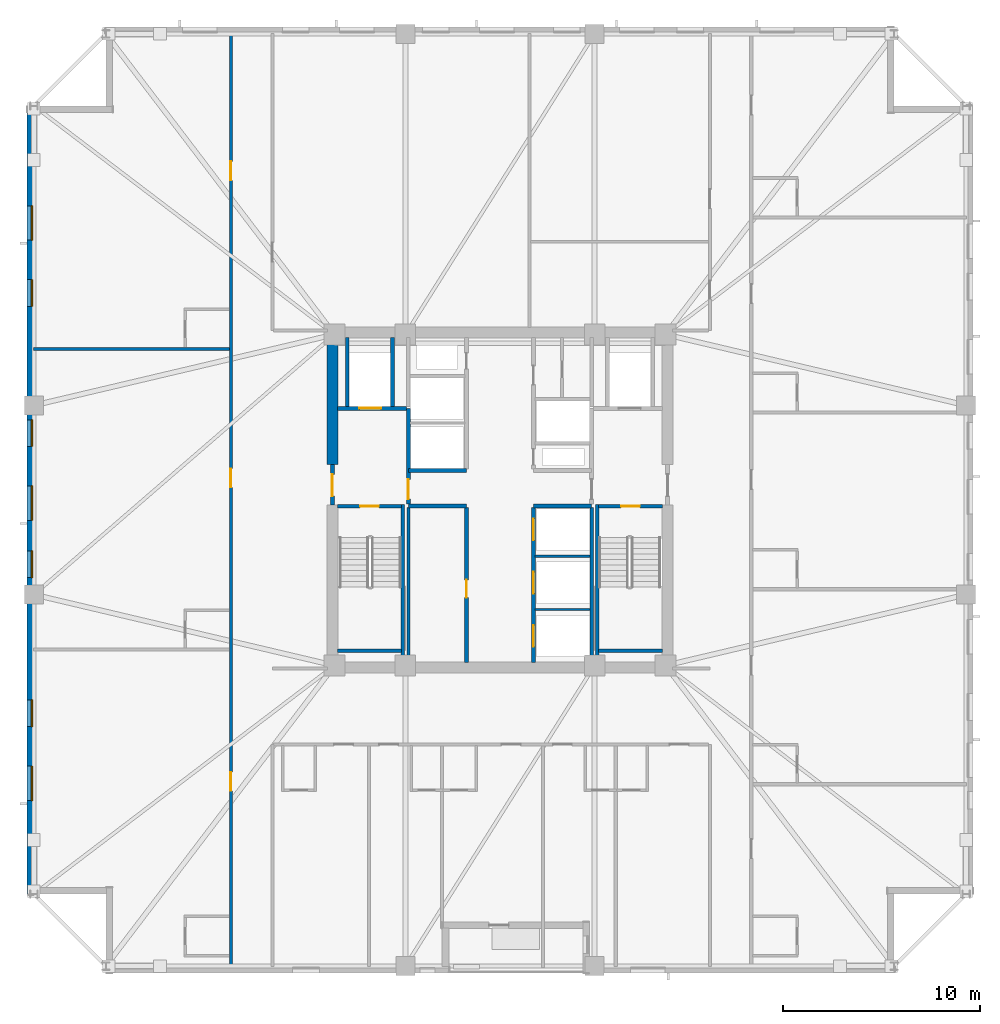
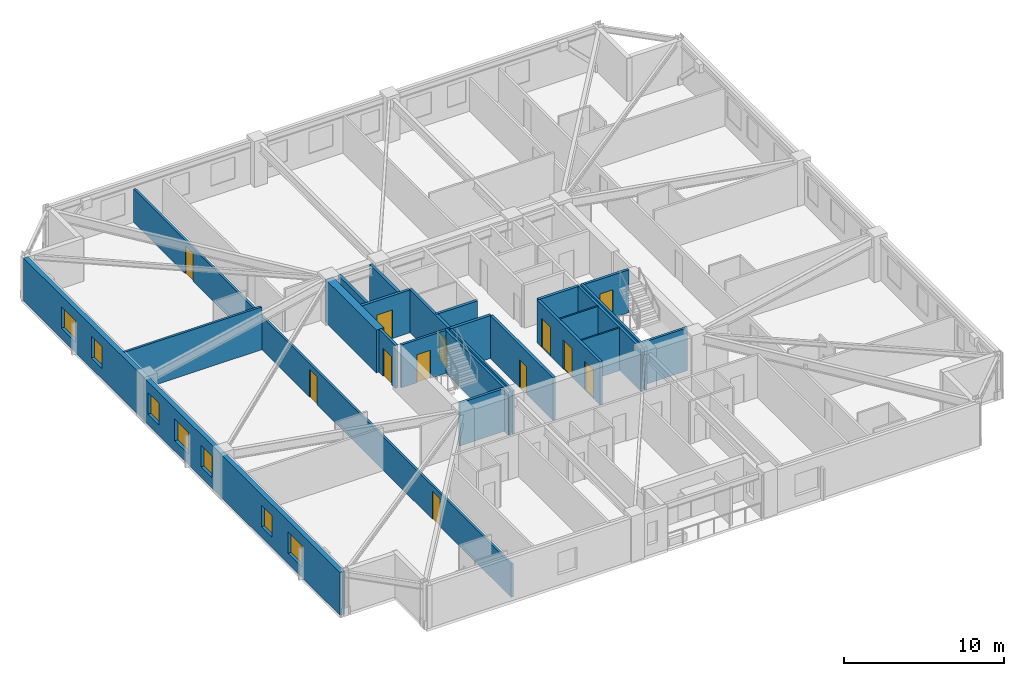
# One storey, part 3 of 11: 24 walls, 12 doors, 7 windows, 19 openings.
"""IFC4 building model written with IfcOpenShell, lengths in metres."""

from ifc_helpers import new_model, si_unit, direction, frame, frame_2d, origin, place, context, subcontext, project, spatial, rectangle, extrude, material, layer, layer_set, type_object, element, fill, save


model = new_model("IFC4")

# Units and contexts
model_context = context("Model", 3, precision=1e-05, world=origin(), true_north=direction((0.0, 1.0)))
body_context = subcontext(model_context, "Body", "Model", "MODEL_VIEW")
ifc_project = project(units=[si_unit("LENGTHUNIT", "METRE"), si_unit("AREAUNIT", "SQUARE_METRE"), si_unit("VOLUMEUNIT", "CUBIC_METRE"), si_unit("PLANEANGLEUNIT", "RADIAN"), si_unit("MASSUNIT", "GRAM", prefix="KILO")], contexts=[model_context])

# Site, building, storey
site_placement = place(None, origin())
site = spatial("IfcSite", under=ifc_project, at=site_placement, CompositionType="ELEMENT")
building_placement = place(site_placement, origin())
building = spatial("IfcBuilding", under=site, at=building_placement, Name="Cairnveth Concourse Tower", CompositionType="ELEMENT")
storey_placement = place(building_placement, frame((0.0, 0.0, 158.5)))
storey = spatial("IfcBuildingStorey", under=building, at=storey_placement, Name="L43", CompositionType="ELEMENT", Elevation=158.5)

# Wall
ifc_material_1 = material(Name="Gypsum Plasterboard Partition", Category="gypsum")
ifc_layer_1 = layer(ifc_material_1, 0.159912109375)
ifc_layer_set_1 = layer_set([ifc_layer_1], Name="Gypsum Plasterboard Partition")
wall_type_1 = type_object("IfcWallType", Name="ACOUSTIC PARTY WALL 180", PredefinedType="PARTITIONING", material=ifc_layer_set_1)
wall_1_placement = place(storey_placement, frame((47.35009765625, 30.760009765625, 0.0), z_axis=(0.0, 0.0, 1.0), x_axis=(0.0, 1.0, 0.0)))
element("IfcWall", 1, at=wall_1_placement, inside=storey, type_object=wall_type_1, Name="Interior Wall IW-L43-025", PredefinedType="PARTITIONING", context=body_context, shape_type="SweptSolid", body=[
    extrude(rectangle(XDim=7.85498046875, YDim=0.159912109375, at=frame_2d((3.927490234375, 0.0))), origin(), (0.0, 0.0, 1.0), 3.280029296875),
])

# Wall, openings, doors
wall_2_placement = place(storey_placement, frame((38.35009765625, 15.324951171875, 0.0), z_axis=(0.0, 0.0, 1.0), x_axis=(0.0, 1.0, 0.0)))
wall_2 = element("IfcWall", 2, at=wall_2_placement, inside=storey, type_object=wall_type_1, Name="Interior Wall IW-L43-036", PredefinedType="PARTITIONING", context=body_context, shape_type="SweptSolid", body=[
    extrude(rectangle(XDim=47.35009765625, YDim=0.159912109375, at=frame_2d((23.675048828125, 0.0))), origin(), (0.0, 0.0, 1.0), 2.554931640625),
])
opening_1_placement = place(wall_2_placement, frame((8.912353515625, 0.0, 0.0)))
opening_1 = element("IfcOpeningElement", 3, at=opening_1_placement, cuts=wall_2, Name="Opening ID09", PredefinedType="OPENING", context=body_context, shape_type="SweptSolid", body=[
    extrude(rectangle(XDim=0.9599609375, YDim=2.14990234375, at=frame_2d((0.47998046875, 1.074951171875))), frame((0.0, 0.08984375, 0.0), z_axis=(0.0, -1.0, 0.0), x_axis=(1.0, 0.0, 0.0)), (0.0, 0.0, 1.0), 0.179931640625),
])
opening_2_placement = place(wall_2_placement, frame((24.312255859375, 0.0, 0.0)))
opening_2 = element("IfcOpeningElement", 4, at=opening_2_placement, cuts=wall_2, Name="Opening ID09", PredefinedType="OPENING", context=body_context, shape_type="SweptSolid", body=[
    extrude(rectangle(XDim=0.9599609375, YDim=2.14990234375, at=frame_2d((0.47998046875, 1.074951171875))), frame((0.0, 0.08984375, 0.0), z_axis=(0.0, -1.0, 0.0), x_axis=(1.0, 0.0, 0.0)), (0.0, 0.0, 1.0), 0.179931640625),
])
opening_3_placement = place(wall_2_placement, frame((39.89501953125, 0.0, 0.0)))
opening_3 = element("IfcOpeningElement", 5, at=opening_3_placement, cuts=wall_2, Name="Opening ID09", PredefinedType="OPENING", context=body_context, shape_type="SweptSolid", body=[
    extrude(rectangle(XDim=0.9599609375, YDim=2.14990234375, at=frame_2d((0.47998046875, 1.074951171875))), frame((0.0, 0.08984375, 0.0), z_axis=(0.0, -1.0, 0.0), x_axis=(1.0, 0.0, 0.0)), (0.0, 0.0, 1.0), 0.179931640625),
])
ifc_material_2 = material(Name="Solid Core Hardwood Timber Leaf", Category="wood")
door_type_1 = type_object("IfcDoorType", Name="HOTEL ENTRANCE DOOR 960X2150", OperationType="NOTDEFINED", PredefinedType="DOOR", material=ifc_material_2)
door_1_placement = place(opening_1_placement, origin())
door_1 = element("IfcDoor", 6, at=door_1_placement, inside=storey, type_object=door_type_1, Name="Hotel Room Door L43-W1", OperationType="SINGLE_SWING_LEFT", OverallHeight=2.14990234375, OverallWidth=0.9599609375, PredefinedType="DOOR", context=body_context, shape_type="SweptSolid", body=[
    extrude(rectangle(XDim=0.9599609375, YDim=2.14990234375, at=frame_2d((0.47998046875, 1.074951171875))), frame((0.0, 0.02490234375, 0.0), z_axis=(0.0, -1.0, 0.0), x_axis=(1.0, 0.0, 0.0)), (0.0, 0.0, 1.0), 0.050048828125),
])
fill(opening_1, door_1)
door_2_placement = place(opening_2_placement, origin())
door_2 = element("IfcDoor", 7, at=door_2_placement, inside=storey, type_object=door_type_1, Name="Hotel Room Door L43-W2", OperationType="SINGLE_SWING_LEFT", OverallHeight=2.14990234375, OverallWidth=0.9599609375, PredefinedType="DOOR", context=body_context, shape_type="SweptSolid", body=[
    extrude(rectangle(XDim=0.9599609375, YDim=2.14990234375, at=frame_2d((0.47998046875, 1.074951171875))), frame((0.0, 0.02490234375, 0.0), z_axis=(0.0, -1.0, 0.0), x_axis=(1.0, 0.0, 0.0)), (0.0, 0.0, 1.0), 0.050048828125),
])
fill(opening_2, door_2)
door_3_placement = place(opening_3_placement, origin())
door_3 = element("IfcDoor", 8, at=door_3_placement, inside=storey, type_object=door_type_1, Name="Hotel Room Door L43-W3", OperationType="SINGLE_SWING_LEFT", OverallHeight=2.14990234375, OverallWidth=0.9599609375, PredefinedType="DOOR", context=body_context, shape_type="SweptSolid", body=[
    extrude(rectangle(XDim=0.9599609375, YDim=2.14990234375, at=frame_2d((0.47998046875, 1.074951171875))), frame((0.0, 0.02490234375, 0.0), z_axis=(0.0, -1.0, 0.0), x_axis=(1.0, 0.0, 0.0)), (0.0, 0.0, 1.0), 0.050048828125),
])
fill(opening_3, door_3)

# Walls
wall_3_placement = place(storey_placement, frame((28.324951171875, 46.669921875, 0.0), z_axis=(0.0, 0.0, 1.0), x_axis=(1.0, 0.0, 0.0)))
element("IfcWall", 9, at=wall_3_placement, inside=storey, type_object=wall_type_1, Name="Interior Wall IW-L43-070", PredefinedType="PARTITIONING", context=body_context, shape_type="SweptSolid", body=[
    extrude(rectangle(XDim=9.945068359375, YDim=0.159912109375, at=frame_2d((4.97265625, 0.0))), origin(), (0.0, 0.0, 1.0), 3.280029296875),
])
ifc_material_3 = material(Name="Concrete N80 (80 MPa)", Category="concrete")
ifc_layer_2 = layer(ifc_material_3, 0.550048828125)
ifc_layer_set_2 = layer_set([ifc_layer_2], Name="Concrete N80 (80 MPa)")
wall_type_2 = type_object("IfcWallType", Name="CORE SHEAR WALL 550", PredefinedType="SHEAR", material=ifc_layer_set_2)
wall_4_placement = place(storey_placement, frame((43.5, 40.800048828125, 0.0), z_axis=(0.0, 0.0, 1.0), x_axis=(0.0, 1.0, 0.0)))
element("IfcWall", 10, at=wall_4_placement, inside=storey, type_object=wall_type_2, Name="Core West Shear Wall N L43", PredefinedType="SHEAR", context=body_context, shape_type="SweptSolid", body=[
    extrude(rectangle(XDim=6.43505859375, YDim=0.550048828125, at=frame_2d((3.217529296875, 0.0))), origin(), (0.0, 0.0, 1.0), 3.280029296875),
])
ifc_material_4 = material(Name="Concrete N50 (50 MPa)", Category="concrete")
ifc_layer_3 = layer(ifc_material_4, 0.179931640625)
ifc_layer_set_3 = layer_set([ifc_layer_3], Name="Concrete N50 (50 MPa)")
wall_type_3 = type_object("IfcWallType", Name="FIRE SHAFT WALL 180", PredefinedType="SOLIDWALL", material=ifc_layer_set_3)
wall_5_placement = place(storey_placement, frame((56.64990234375, 30.760009765625, 0.0), z_axis=(0.0, 0.0, 1.0), x_axis=(0.0, 1.0, 0.0)))
element("IfcWall", 11, at=wall_5_placement, inside=storey, type_object=wall_type_3, Name="Interior Wall IW-L43-026", PredefinedType="SOLIDWALL", context=body_context, shape_type="SweptSolid", body=[
    extrude(rectangle(XDim=7.85498046875, YDim=0.179931640625, at=frame_2d((3.927490234375, 0.0))), origin(), (0.0, 0.0, 1.0), 3.280029296875),
])

# Wall, opening, door
wall_6_placement = place(storey_placement, frame((43.764892578125, 38.68994140625, 0.0), z_axis=(0.0, 0.0, 1.0), x_axis=(1.0, 0.0, 0.0)))
wall_6 = element("IfcWall", 12, at=wall_6_placement, inside=storey, type_object=wall_type_3, Name="Stair ST-1 Shaft Wall NEAR L43", PredefinedType="SOLIDWALL", context=body_context, shape_type="SweptSolid", body=[
    extrude(rectangle(XDim=3.230224609375, YDim=0.179931640625, at=frame_2d((1.615234375, 0.0))), origin(), (0.0, 0.0, 1.0), 3.280029296875),
])
opening_4_placement = place(wall_6_placement, frame((1.139892578125, 0.0, 0.0)))
opening_4 = element("IfcOpeningElement", 13, at=opening_4_placement, cuts=wall_6, Name="Opening ID12", PredefinedType="OPENING", context=body_context, shape_type="SweptSolid", body=[
    extrude(rectangle(XDim=0.949951171875, YDim=2.14990234375, at=frame_2d((0.47509765625, 1.074951171875))), frame((0.0, 0.099853515625, 0.0), z_axis=(0.0, -1.0, 0.0), x_axis=(1.0, 0.0, 0.0)), (0.0, 0.0, 1.0), 0.199951171875),
])
ifc_material_5 = material(Name="Steel Grade 350", Category="steel")
door_type_2 = type_object("IfcDoorType", Name="FIRE STAIR DOOR 950X2150", OperationType="NOTDEFINED", PredefinedType="DOOR", material=ifc_material_5)
door_4_placement = place(opening_4_placement, origin())
door_4 = element("IfcDoor", 14, at=door_4_placement, inside=storey, type_object=door_type_2, Name="Stair ST-1 Fire Door L43", OperationType="SINGLE_SWING_LEFT", OverallHeight=2.14990234375, OverallWidth=0.949951171875, PredefinedType="DOOR", context=body_context, shape_type="SweptSolid", body=[
    extrude(rectangle(XDim=0.949951171875, YDim=2.14990234375, at=frame_2d((0.47509765625, 1.074951171875))), frame((0.0, 0.02490234375, 0.0), z_axis=(0.0, -1.0, 0.0), x_axis=(1.0, 0.0, 0.0)), (0.0, 0.0, 1.0), 0.050048828125),
])
fill(opening_4, door_4)

# Walls
wall_7_placement = place(storey_placement, frame((43.764892578125, 31.360107421875, 0.0), z_axis=(0.0, 0.0, 1.0), x_axis=(1.0, 0.0, 0.0)))
element("IfcWall", 15, at=wall_7_placement, inside=storey, type_object=wall_type_3, Name="Stair ST-1 Shaft Wall FAR L43", PredefinedType="SOLIDWALL", context=body_context, shape_type="SweptSolid", body=[
    extrude(rectangle(XDim=3.230224609375, YDim=0.179931640625, at=frame_2d((1.615234375, 0.0))), origin(), (0.0, 0.0, 1.0), 3.280029296875),
])
wall_8_placement = place(storey_placement, frame((47.070068359375, 38.780029296875, 0.0), z_axis=(0.0, 0.0, 1.0), x_axis=(0.0, -1.0, 0.0)))
element("IfcWall", 16, at=wall_8_placement, inside=storey, type_object=wall_type_3, Name="Stair ST-1 Shaft Wall RGHT L43", PredefinedType="SOLIDWALL", context=body_context, shape_type="SweptSolid", body=[
    extrude(rectangle(XDim=8.01708984375, YDim=0.179931640625, at=frame_2d((4.008544921875, 0.0))), origin(), (0.0, 0.0, 1.0), 3.280029296875),
])

# Wall, opening, door
wall_9_placement = place(storey_placement, frame((57.0048828125, 38.68994140625, 0.0), z_axis=(0.0, 0.0, 1.0), x_axis=(1.0, 0.0, 0.0)))
wall_9 = element("IfcWall", 17, at=wall_9_placement, inside=storey, type_object=wall_type_3, Name="Stair ST-2 Shaft Wall NEAR L43", PredefinedType="SOLIDWALL", context=body_context, shape_type="SweptSolid", body=[
    extrude(rectangle(XDim=3.230224609375, YDim=0.179931640625, at=frame_2d((1.615234375, 0.0))), origin(), (0.0, 0.0, 1.0), 3.280029296875),
])
opening_5_placement = place(wall_9_placement, frame((1.139892578125, 0.0, 0.0)))
opening_5 = element("IfcOpeningElement", 18, at=opening_5_placement, cuts=wall_9, Name="Opening ID12", PredefinedType="OPENING", context=body_context, shape_type="SweptSolid", body=[
    extrude(rectangle(XDim=0.949951171875, YDim=2.14990234375, at=frame_2d((0.47509765625, 1.074951171875))), frame((0.0, 0.099853515625, 0.0), z_axis=(0.0, -1.0, 0.0), x_axis=(1.0, 0.0, 0.0)), (0.0, 0.0, 1.0), 0.199951171875),
])
door_5_placement = place(opening_5_placement, origin())
door_5 = element("IfcDoor", 19, at=door_5_placement, inside=storey, type_object=door_type_2, Name="Stair ST-2 Fire Door L43", OperationType="SINGLE_SWING_RIGHT", OverallHeight=2.14990234375, OverallWidth=0.949951171875, PredefinedType="DOOR", context=body_context, shape_type="SweptSolid", body=[
    extrude(rectangle(XDim=0.949951171875, YDim=2.14990234375, at=frame_2d((0.47509765625, 1.074951171875))), frame((0.0, 0.02490234375, 0.0), z_axis=(0.0, -1.0, 0.0), x_axis=(1.0, 0.0, 0.0)), (0.0, 0.0, 1.0), 0.050048828125),
])
fill(opening_5, door_5)

# Walls
wall_10_placement = place(storey_placement, frame((57.0048828125, 31.360107421875, 0.0), z_axis=(0.0, 0.0, 1.0), x_axis=(1.0, 0.0, 0.0)))
element("IfcWall", 20, at=wall_10_placement, inside=storey, type_object=wall_type_3, Name="Stair ST-2 Shaft Wall FAR L43", PredefinedType="SOLIDWALL", context=body_context, shape_type="SweptSolid", body=[
    extrude(rectangle(XDim=3.230224609375, YDim=0.179931640625, at=frame_2d((1.615234375, 0.0))), origin(), (0.0, 0.0, 1.0), 3.280029296875),
])
wall_11_placement = place(storey_placement, frame((56.929931640625, 38.780029296875, 0.0), z_axis=(0.0, 0.0, 1.0), x_axis=(0.0, -1.0, 0.0)))
element("IfcWall", 21, at=wall_11_placement, inside=storey, type_object=wall_type_3, Name="Stair ST-2 Shaft Wall LEFT L43", PredefinedType="SOLIDWALL", context=body_context, shape_type="SweptSolid", body=[
    extrude(rectangle(XDim=8.01708984375, YDim=0.179931640625, at=frame_2d((4.008544921875, 0.0))), origin(), (0.0, 0.0, 1.0), 3.280029296875),
])
ifc_layer_4 = layer(ifc_material_4, 0.199951171875)
ifc_layer_set_4 = layer_set([ifc_layer_4], Name="Concrete N50 (50 MPa)")
wall_type_4 = type_object("IfcWallType", Name="FIRE SHAFT WALL 200", PredefinedType="SOLIDWALL", material=ifc_layer_set_4)
for number, where, z_axis, x_axis, name in (
    (22, (47.35009765625, 38.699951171875, 0.0), (0.0, 0.0, 1.0), (1.0, 0.0, 0.0), "Interior Wall IW-L43-007"),
    (23, (47.35009765625, 40.5, 0.0), (0.0, 0.0, 1.0), (1.0, 0.0, 0.0), "Interior Wall IW-L43-008"),
    (24, (53.699951171875, 38.699951171875, 0.0), (0.0, 0.0, 1.0), (1.0, 0.0, 0.0), "Interior Wall IW-L43-009"),
):
    element("IfcWall", number, at=place(storey_placement, frame(where, z_axis=z_axis, x_axis=x_axis)), inside=storey, type_object=wall_type_4, Name=name, PredefinedType="SOLIDWALL", context=body_context, shape_type="SweptSolid", body=[
        extrude(rectangle(XDim=2.949951171875, YDim=0.199951171875, at=frame_2d((1.47509765625, 0.0))), origin(), (0.0, 0.0, 1.0), 3.280029296875),
    ])

# Wall, opening, door
wall_12_placement = place(storey_placement, frame((50.300048828125, 30.760009765625, 0.0), z_axis=(0.0, 0.0, 1.0), x_axis=(0.0, 1.0, 0.0)))
wall_12 = element("IfcWall", 25, at=wall_12_placement, inside=storey, type_object=wall_type_4, Name="Interior Wall IW-L43-011", PredefinedType="SOLIDWALL", context=body_context, shape_type="SweptSolid", body=[
    extrude(rectangle(XDim=7.85498046875, YDim=0.199951171875, at=frame_2d((3.927490234375, 0.0))), origin(), (0.0, 0.0, 1.0), 3.280029296875),
])
opening_6_placement = place(wall_12_placement, frame((3.2900390625, 0.0, 0.0)))
opening_6 = element("IfcOpeningElement", 26, at=opening_6_placement, cuts=wall_12, Name="Opening ID16", PredefinedType="OPENING", context=body_context, shape_type="SweptSolid", body=[
    extrude(rectangle(XDim=0.89990234375, YDim=2.1201171875, at=frame_2d((0.449951171875, 1.06005859375))), frame((0.0, 0.10986328125, 0.0), z_axis=(0.0, -1.0, 0.0), x_axis=(1.0, 0.0, 0.0)), (0.0, 0.0, 1.0), 0.219970703125),
])
door_type_3 = type_object("IfcDoorType", Name="CORE SERVICE DOOR 900X2100", OperationType="NOTDEFINED", PredefinedType="DOOR", material=ifc_material_5)
door_6_placement = place(opening_6_placement, origin())
door_6 = element("IfcDoor", 27, at=door_6_placement, inside=storey, type_object=door_type_3, Name="Linen Pantry Suite Door L43", OperationType="SINGLE_SWING_LEFT", OverallHeight=2.1201171875, OverallWidth=0.89990234375, PredefinedType="DOOR", context=body_context, shape_type="SweptSolid", body=[
    extrude(rectangle(XDim=0.89990234375, YDim=2.1201171875, at=frame_2d((0.449951171875, 1.06005859375))), frame((0.0, 0.02490234375, 0.0), z_axis=(0.0, -1.0, 0.0), x_axis=(1.0, 0.0, 0.0)), (0.0, 0.0, 1.0), 0.050048828125),
])
fill(opening_6, door_6)

# Wall, openings, doors
wall_13_placement = place(storey_placement, frame((53.699951171875, 30.760009765625, 0.0), z_axis=(0.0, 0.0, 1.0), x_axis=(0.0, 1.0, 0.0)))
wall_13 = element("IfcWall", 28, at=wall_13_placement, inside=storey, type_object=wall_type_4, Name="Interior Wall IW-L43-012", PredefinedType="SOLIDWALL", context=body_context, shape_type="SweptSolid", body=[
    extrude(rectangle(XDim=7.85498046875, YDim=0.199951171875, at=frame_2d((3.927490234375, 0.0))), origin(), (0.0, 0.0, 1.0), 3.280029296875),
])
opening_7_placement = place(wall_13_placement, frame((0.7900390625, 0.0, 0.0)))
opening_7 = element("IfcOpeningElement", 29, at=opening_7_placement, cuts=wall_13, Name="Opening LD-1", PredefinedType="OPENING", context=body_context, shape_type="SweptSolid", body=[
    extrude(rectangle(XDim=1.10009765625, YDim=2.199951171875, at=frame_2d((0.550048828125, 1.10009765625))), frame((0.0, 0.10986328125, 0.0), z_axis=(0.0, -1.0, 0.0), x_axis=(1.0, 0.0, 0.0)), (0.0, 0.0, 1.0), 0.219970703125),
])
opening_8_placement = place(wall_13_placement, frame((3.489990234375, 0.0, 0.0)))
opening_8 = element("IfcOpeningElement", 30, at=opening_8_placement, cuts=wall_13, Name="Opening LD-1", PredefinedType="OPENING", context=body_context, shape_type="SweptSolid", body=[
    extrude(rectangle(XDim=1.10009765625, YDim=2.199951171875, at=frame_2d((0.550048828125, 1.10009765625))), frame((0.0, 0.10986328125, 0.0), z_axis=(0.0, -1.0, 0.0), x_axis=(1.0, 0.0, 0.0)), (0.0, 0.0, 1.0), 0.219970703125),
])
opening_9_placement = place(wall_13_placement, frame((6.18994140625, 0.0, 0.0)))
opening_9 = element("IfcOpeningElement", 31, at=opening_9_placement, cuts=wall_13, Name="Opening LD-1", PredefinedType="OPENING", context=body_context, shape_type="SweptSolid", body=[
    extrude(rectangle(XDim=1.10009765625, YDim=2.199951171875, at=frame_2d((0.550048828125, 1.10009765625))), frame((0.0, 0.10986328125, 0.0), z_axis=(0.0, -1.0, 0.0), x_axis=(1.0, 0.0, 0.0)), (0.0, 0.0, 1.0), 0.219970703125),
])
ifc_material_6 = material(Name="Architectural Bronze Anodised Aluminium 6063-T6", Category="aluminium")
door_type_4 = type_object("IfcDoorType", Name="LIFT LANDING DOOR 1100X2200", OperationType="SLIDING_TO_LEFT", PredefinedType="DOOR", material=ifc_material_6)
door_7_placement = place(opening_7_placement, origin())
door_7 = element("IfcDoor", 32, at=door_7_placement, inside=storey, type_object=door_type_4, Name="Lift PL4 Landing Door L43", OperationType="SLIDING_TO_LEFT", OverallHeight=2.199951171875, OverallWidth=1.10009765625, PredefinedType="DOOR", context=body_context, shape_type="SweptSolid", body=[
    extrude(rectangle(XDim=1.10009765625, YDim=2.199951171875, at=frame_2d((0.550048828125, 1.10009765625))), frame((0.0, 0.02490234375, 0.0), z_axis=(0.0, -1.0, 0.0), x_axis=(1.0, 0.0, 0.0)), (0.0, 0.0, 1.0), 0.050048828125),
])
fill(opening_7, door_7)
door_8_placement = place(opening_8_placement, origin())
door_8 = element("IfcDoor", 33, at=door_8_placement, inside=storey, type_object=door_type_4, Name="Lift PL5 Landing Door L43", OperationType="SLIDING_TO_LEFT", OverallHeight=2.199951171875, OverallWidth=1.10009765625, PredefinedType="DOOR", context=body_context, shape_type="SweptSolid", body=[
    extrude(rectangle(XDim=1.10009765625, YDim=2.199951171875, at=frame_2d((0.550048828125, 1.10009765625))), frame((0.0, 0.02490234375, 0.0), z_axis=(0.0, -1.0, 0.0), x_axis=(1.0, 0.0, 0.0)), (0.0, 0.0, 1.0), 0.050048828125),
])
fill(opening_8, door_8)
door_9_placement = place(opening_9_placement, origin())
door_9 = element("IfcDoor", 34, at=door_9_placement, inside=storey, type_object=door_type_4, Name="Lift PL6 Landing Door L43", OperationType="SLIDING_TO_LEFT", OverallHeight=2.199951171875, OverallWidth=1.10009765625, PredefinedType="DOOR", context=body_context, shape_type="SweptSolid", body=[
    extrude(rectangle(XDim=1.10009765625, YDim=2.199951171875, at=frame_2d((0.550048828125, 1.10009765625))), frame((0.0, 0.02490234375, 0.0), z_axis=(0.0, -1.0, 0.0), x_axis=(1.0, 0.0, 0.0)), (0.0, 0.0, 1.0), 0.050048828125),
])
fill(opening_9, door_9)

# Wall, opening, door
wall_14_placement = place(storey_placement, frame((43.5, 38.75, 0.0), z_axis=(0.0, 0.0, 1.0), x_axis=(0.0, 1.0, 0.0)))
wall_14 = element("IfcWall", 35, at=wall_14_placement, inside=storey, type_object=wall_type_4, Name="Interior Wall IW-L43-015", PredefinedType="SOLIDWALL", context=body_context, shape_type="SweptSolid", body=[
    extrude(rectangle(XDim=2.050048828125, YDim=0.199951171875, at=frame_2d((1.02490234375, 0.0))), origin(), (0.0, 0.0, 1.0), 3.280029296875),
])
opening_10_placement = place(wall_14_placement, frame((0.449951171875, 0.0, 0.0)))
opening_10 = element("IfcOpeningElement", 36, at=opening_10_placement, cuts=wall_14, Name="Opening ID06", PredefinedType="OPENING", context=body_context, shape_type="SweptSolid", body=[
    extrude(rectangle(XDim=1.10009765625, YDim=2.14990234375, at=frame_2d((0.550048828125, 1.074951171875))), frame((0.0, 0.10986328125, 0.0), z_axis=(0.0, -1.0, 0.0), x_axis=(1.0, 0.0, 0.0)), (0.0, 0.0, 1.0), 0.219970703125),
])
door_type_5 = type_object("IfcDoorType", Name="FIRE CORRIDOR DOOR 1100X2150", OperationType="NOTDEFINED", PredefinedType="DOOR", material=ifc_material_5)
door_10_placement = place(opening_10_placement, origin())
door_10 = element("IfcDoor", 37, at=door_10_placement, inside=storey, type_object=door_type_5, Name="West Wing to FF Lobby Door L43", OperationType="SINGLE_SWING_LEFT", OverallHeight=2.14990234375, OverallWidth=1.10009765625, PredefinedType="DOOR", context=body_context, shape_type="SweptSolid", body=[
    extrude(rectangle(XDim=1.10009765625, YDim=2.14990234375, at=frame_2d((0.550048828125, 1.074951171875))), frame((0.0, 0.02490234375, 0.0), z_axis=(0.0, -1.0, 0.0), x_axis=(1.0, 0.0, 0.0)), (0.0, 0.0, 1.0), 0.050048828125),
])
fill(opening_10, door_10)

wall_15_placement = place(storey_placement, frame((47.35009765625, 38.784912109375, 0.0), z_axis=(0.0, 0.0, 1.0), x_axis=(0.0, 1.0, 0.0)))
wall_15 = element("IfcWall", 38, at=wall_15_placement, inside=storey, type_object=wall_type_4, Name="Interior Wall IW-L43-016", PredefinedType="SOLIDWALL", context=body_context, shape_type="SweptSolid", body=[
    extrude(rectangle(XDim=4.864990234375, YDim=0.199951171875, at=frame_2d((2.4326171875, 0.0))), origin(), (0.0, 0.0, 1.0), 3.280029296875),
])
opening_11_placement = place(wall_15_placement, frame((0.264892578125, 0.0, 0.0)))
opening_11 = element("IfcOpeningElement", 39, at=opening_11_placement, cuts=wall_15, Name="Opening ID07", PredefinedType="OPENING", context=body_context, shape_type="SweptSolid", body=[
    extrude(rectangle(XDim=1.0, YDim=2.14990234375, at=frame_2d((0.5, 1.074951171875))), frame((0.0, 0.10986328125, 0.0), z_axis=(0.0, -1.0, 0.0), x_axis=(1.0, 0.0, 0.0)), (0.0, 0.0, 1.0), 0.219970703125),
])
door_type_6 = type_object("IfcDoorType", Name="FIRE CORRIDOR DOOR 1000X2150", OperationType="NOTDEFINED", PredefinedType="DOOR", material=ifc_material_5)
door_11_placement = place(opening_11_placement, origin())
door_11 = element("IfcDoor", 40, at=door_11_placement, inside=storey, type_object=door_type_6, Name="FF Lobby West to Lift Lobby Door L43", OperationType="SINGLE_SWING_RIGHT", OverallHeight=2.14990234375, OverallWidth=1.0, PredefinedType="DOOR", context=body_context, shape_type="SweptSolid", body=[
    extrude(rectangle(XDim=1.0, YDim=2.14990234375, at=frame_2d((0.5, 1.074951171875))), frame((0.0, 0.02490234375, 0.0), z_axis=(0.0, -1.0, 0.0), x_axis=(1.0, 0.0, 0.0)), (0.0, 0.0, 1.0), 0.050048828125),
])
fill(opening_11, door_11)

wall_16_placement = place(storey_placement, frame((43.760009765625, 43.64990234375, 0.0), z_axis=(0.0, 0.0, 1.0), x_axis=(1.0, 0.0, 0.0)))
wall_16 = element("IfcWall", 41, at=wall_16_placement, inside=storey, type_object=wall_type_4, Name="Interior Wall IW-L43-017", PredefinedType="SOLIDWALL", context=body_context, shape_type="SweptSolid", body=[
    extrude(rectangle(XDim=3.5048828125, YDim=0.199951171875, at=frame_2d((1.75244140625, 0.0))), origin(), (0.0, 0.0, 1.0), 3.280029296875),
])
opening_12_placement = place(wall_16_placement, frame((1.110107421875, 0.0, 0.0)))
opening_12 = element("IfcOpeningElement", 42, at=opening_12_placement, cuts=wall_16, Name="Opening LD-1", PredefinedType="OPENING", context=body_context, shape_type="SweptSolid", body=[
    extrude(rectangle(XDim=1.10009765625, YDim=2.199951171875, at=frame_2d((0.550048828125, 1.10009765625))), frame((0.0, 0.10986328125, 0.0), z_axis=(0.0, -1.0, 0.0), x_axis=(1.0, 0.0, 0.0)), (0.0, 0.0, 1.0), 0.219970703125),
])
door_12_placement = place(opening_12_placement, origin())
door_12 = element("IfcDoor", 43, at=door_12_placement, inside=storey, type_object=door_type_4, Name="Lift FFL1 Landing Door L43", OperationType="SLIDING_TO_LEFT", OverallHeight=2.199951171875, OverallWidth=1.10009765625, PredefinedType="DOOR", context=body_context, shape_type="SweptSolid", body=[
    extrude(rectangle(XDim=1.10009765625, YDim=2.199951171875, at=frame_2d((0.550048828125, 1.10009765625))), frame((0.0, 0.02490234375, 0.0), z_axis=(0.0, -1.0, 0.0), x_axis=(1.0, 0.0, 0.0)), (0.0, 0.0, 1.0), 0.050048828125),
])
fill(opening_12, door_12)

# Walls
for number, where, z_axis, x_axis, name in (
    (44, (46.550048828125, 43.735107421875, 0.0), (0.0, 0.0, 1.0), (0.0, 1.0, 0.0), "Interior Wall IW-L43-018"),
    (45, (44.25, 43.735107421875, 0.0), (0.0, 0.0, 1.0), (0.0, 1.0, 0.0), "Interior Wall IW-L43-019"),
):
    element("IfcWall", number, at=place(storey_placement, frame(where, z_axis=z_axis, x_axis=x_axis)), inside=storey, type_object=wall_type_4, Name=name, PredefinedType="SOLIDWALL", context=body_context, shape_type="SweptSolid", body=[
        extrude(rectangle(XDim=3.5048828125, YDim=0.199951171875, at=frame_2d((1.75244140625, 0.0))), origin(), (0.0, 0.0, 1.0), 3.280029296875),
    ])
ifc_layer_5 = layer(ifc_material_1, 0.110107421875)
ifc_layer_set_5 = layer_set([ifc_layer_5], Name="Gypsum Plasterboard Partition")
wall_type_5 = type_object("IfcWallType", Name="SHAFT DIVIDER WALL 140", PredefinedType="PARTITIONING", material=ifc_layer_set_5)
for number, where, z_axis, x_axis, name in (
    (46, (53.784912109375, 33.449951171875, 0.0), (0.0, 0.0, 1.0), (1.0, 0.0, 0.0), "Interior Wall IW-L43-027"),
    (47, (53.784912109375, 36.14990234375, 0.0), (0.0, 0.0, 1.0), (1.0, 0.0, 0.0), "Interior Wall IW-L43-028"),
):
    element("IfcWall", number, at=place(storey_placement, frame(where, z_axis=z_axis, x_axis=x_axis)), inside=storey, type_object=wall_type_5, Name=name, PredefinedType="PARTITIONING", context=body_context, shape_type="SweptSolid", body=[
        extrude(rectangle(XDim=2.7900390625, YDim=0.110107421875, at=frame_2d((1.39501953125, 0.0))), origin(), (0.0, 0.0, 1.0), 3.280029296875),
    ])

# Wall, openings, windows
ifc_material_7 = material(Name="Hawthorn Red-Ochre Fired Clay Brick Masonry", Category="masonry")
ifc_layer_6 = layer(ifc_material_7, 0.340087890625)
ifc_layer_set_6 = layer_set([ifc_layer_6], Name="Hawthorn Red-Ochre Fired Clay Brick Masonry")
wall_type_6 = type_object("IfcWallType", Name="ZONE 2 BRICK PIER SPANDREL WALL 340", PredefinedType="SOLIDWALL", material=ifc_layer_set_6)
wall_17_placement = place(storey_placement, frame((28.169921875, 19.0, 0.0), z_axis=(0.0, 0.0, 1.0), x_axis=(0.0, 1.0, 0.0)))
wall_17 = element("IfcWall", 48, at=wall_17_placement, inside=storey, type_object=wall_type_6, Name="Exterior Wall EW-L43-S03", PredefinedType="SOLIDWALL", context=body_context, shape_type="SweptSolid", body=[
    extrude(rectangle(XDim=39.681884765625, YDim=0.340087890625, at=frame_2d((19.8408203125, 0.0))), origin(), (0.0, 0.0, 1.0), 3.280029296875),
])
opening_13_placement = place(wall_17_placement, frame((4.751708984375, 0.0, 0.800048828125)))
opening_13 = element("IfcOpeningElement", 49, at=opening_13_placement, cuts=wall_17, Name="Opening W06", PredefinedType="OPENING", context=body_context, shape_type="SweptSolid", body=[
    extrude(rectangle(XDim=1.75, YDim=1.659912109375, at=frame_2d((0.875, 0.830078125))), frame((0.0, 0.179931640625, 0.0), z_axis=(0.0, -1.0, 0.0), x_axis=(1.0, 0.0, 0.0)), (0.0, 0.0, 1.0), 0.360107421875),
])
opening_14_placement = place(wall_17_placement, frame((8.50537109375, 0.0, 0.800048828125)))
opening_14 = element("IfcOpeningElement", 50, at=opening_14_placement, cuts=wall_17, Name="Opening W02", PredefinedType="OPENING", context=body_context, shape_type="SweptSolid", body=[
    extrude(rectangle(XDim=1.35009765625, YDim=1.659912109375, at=frame_2d((0.675048828125, 0.830078125))), frame((0.0, 0.179931640625, 0.0), z_axis=(0.0, -1.0, 0.0), x_axis=(1.0, 0.0, 0.0)), (0.0, 0.0, 1.0), 0.360107421875),
])
opening_15_placement = place(wall_17_placement, frame((16.0625, 0.0, 0.800048828125)))
opening_15 = element("IfcOpeningElement", 51, at=opening_15_placement, cuts=wall_17, Name="Opening W02", PredefinedType="OPENING", context=body_context, shape_type="SweptSolid", body=[
    extrude(rectangle(XDim=1.35009765625, YDim=1.659912109375, at=frame_2d((0.675048828125, 0.830078125))), frame((0.0, 0.179931640625, 0.0), z_axis=(0.0, -1.0, 0.0), x_axis=(1.0, 0.0, 0.0)), (0.0, 0.0, 1.0), 0.360107421875),
])
opening_16_placement = place(wall_17_placement, frame((18.966064453125, 0.0, 0.800048828125)))
opening_16 = element("IfcOpeningElement", 52, at=opening_16_placement, cuts=wall_17, Name="Opening W06", PredefinedType="OPENING", context=body_context, shape_type="SweptSolid", body=[
    extrude(rectangle(XDim=1.75, YDim=1.659912109375, at=frame_2d((0.875, 0.830078125))), frame((0.0, 0.179931640625, 0.0), z_axis=(0.0, -1.0, 0.0), x_axis=(1.0, 0.0, 0.0)), (0.0, 0.0, 1.0), 0.360107421875),
])
opening_17_placement = place(wall_17_placement, frame((22.719482421875, 0.0, 0.800048828125)))
opening_17 = element("IfcOpeningElement", 53, at=opening_17_placement, cuts=wall_17, Name="Opening W02", PredefinedType="OPENING", context=body_context, shape_type="SweptSolid", body=[
    extrude(rectangle(XDim=1.35009765625, YDim=1.659912109375, at=frame_2d((0.675048828125, 0.830078125))), frame((0.0, 0.179931640625, 0.0), z_axis=(0.0, -1.0, 0.0), x_axis=(1.0, 0.0, 0.0)), (0.0, 0.0, 1.0), 0.360107421875),
])
opening_18_placement = place(wall_17_placement, frame((29.82666015625, 0.0, 0.800048828125)))
opening_18 = element("IfcOpeningElement", 54, at=opening_18_placement, cuts=wall_17, Name="Opening W02", PredefinedType="OPENING", context=body_context, shape_type="SweptSolid", body=[
    extrude(rectangle(XDim=1.35009765625, YDim=1.659912109375, at=frame_2d((0.675048828125, 0.830078125))), frame((0.0, 0.179931640625, 0.0), z_axis=(0.0, -1.0, 0.0), x_axis=(1.0, 0.0, 0.0)), (0.0, 0.0, 1.0), 0.360107421875),
])
opening_19_placement = place(wall_17_placement, frame((33.18017578125, 0.0, 0.800048828125)))
opening_19 = element("IfcOpeningElement", 55, at=opening_19_placement, cuts=wall_17, Name="Opening W06", PredefinedType="OPENING", context=body_context, shape_type="SweptSolid", body=[
    extrude(rectangle(XDim=1.75, YDim=1.659912109375, at=frame_2d((0.875, 0.830078125))), frame((0.0, 0.179931640625, 0.0), z_axis=(0.0, -1.0, 0.0), x_axis=(1.0, 0.0, 0.0)), (0.0, 0.0, 1.0), 0.360107421875),
])
ifc_material_8 = material(Name="Double Glazed Low-E Clear Glass", Category="glass")
window_type_1 = type_object("IfcWindowType", Name="DEEP-SET GOTHIC LANCET WINDOW 1350X1800", PartitioningType="DOUBLE_PANEL_VERTICAL", PredefinedType="WINDOW", material=ifc_material_8)
window_1_placement = place(opening_14_placement, origin())
window_1 = element("IfcWindow", 56, at=window_1_placement, inside=storey, type_object=window_type_1, Name="Gothic Lancet Window L43-3-2", OverallHeight=1.659912109375, OverallWidth=1.35009765625, PartitioningType="SINGLE_PANEL", PredefinedType="WINDOW", context=body_context, shape_type="SweptSolid", body=[
    extrude(rectangle(XDim=1.35009765625, YDim=1.659912109375, at=frame_2d((0.675048828125, 0.830078125))), frame((0.0, -0.050048828125, 0.0), z_axis=(0.0, -1.0, 0.0), x_axis=(1.0, 0.0, 0.0)), (0.0, 0.0, 1.0), 0.06005859375),
])
fill(opening_14, window_1)
window_2_placement = place(opening_15_placement, origin())
window_2 = element("IfcWindow", 57, at=window_2_placement, inside=storey, type_object=window_type_1, Name="Gothic Lancet Window L43-3-4", OverallHeight=1.659912109375, OverallWidth=1.35009765625, PartitioningType="SINGLE_PANEL", PredefinedType="WINDOW", context=body_context, shape_type="SweptSolid", body=[
    extrude(rectangle(XDim=1.35009765625, YDim=1.659912109375, at=frame_2d((0.675048828125, 0.830078125))), frame((0.0, -0.050048828125, 0.0), z_axis=(0.0, -1.0, 0.0), x_axis=(1.0, 0.0, 0.0)), (0.0, 0.0, 1.0), 0.06005859375),
])
fill(opening_15, window_2)
window_3_placement = place(opening_17_placement, origin())
window_3 = element("IfcWindow", 58, at=window_3_placement, inside=storey, type_object=window_type_1, Name="Gothic Lancet Window L43-3-6", OverallHeight=1.659912109375, OverallWidth=1.35009765625, PartitioningType="SINGLE_PANEL", PredefinedType="WINDOW", context=body_context, shape_type="SweptSolid", body=[
    extrude(rectangle(XDim=1.35009765625, YDim=1.659912109375, at=frame_2d((0.675048828125, 0.830078125))), frame((0.0, -0.050048828125, 0.0), z_axis=(0.0, -1.0, 0.0), x_axis=(1.0, 0.0, 0.0)), (0.0, 0.0, 1.0), 0.06005859375),
])
fill(opening_17, window_3)
window_4_placement = place(opening_18_placement, origin())
window_4 = element("IfcWindow", 59, at=window_4_placement, inside=storey, type_object=window_type_1, Name="Gothic Lancet Window L43-3-8", OverallHeight=1.659912109375, OverallWidth=1.35009765625, PartitioningType="SINGLE_PANEL", PredefinedType="WINDOW", context=body_context, shape_type="SweptSolid", body=[
    extrude(rectangle(XDim=1.35009765625, YDim=1.659912109375, at=frame_2d((0.675048828125, 0.830078125))), frame((0.0, -0.050048828125, 0.0), z_axis=(0.0, -1.0, 0.0), x_axis=(1.0, 0.0, 0.0)), (0.0, 0.0, 1.0), 0.06005859375),
])
fill(opening_18, window_4)
window_type_2 = type_object("IfcWindowType", Name="DEEP-SET HOTEL SUITE WINDOW 1750X1800", PartitioningType="DOUBLE_PANEL_VERTICAL", PredefinedType="WINDOW", material=ifc_material_8)
window_5_placement = place(opening_13_placement, origin())
window_5 = element("IfcWindow", 60, at=window_5_placement, inside=storey, type_object=window_type_2, Name="Gothic Lancet Window L43-3-1", OverallHeight=1.659912109375, OverallWidth=1.75, PartitioningType="SINGLE_PANEL", PredefinedType="WINDOW", context=body_context, shape_type="SweptSolid", body=[
    extrude(rectangle(XDim=1.75, YDim=1.659912109375, at=frame_2d((0.875, 0.830078125))), frame((0.0, -0.050048828125, 0.0), z_axis=(0.0, -1.0, 0.0), x_axis=(1.0, 0.0, 0.0)), (0.0, 0.0, 1.0), 0.06005859375),
])
fill(opening_13, window_5)
window_6_placement = place(opening_16_placement, origin())
window_6 = element("IfcWindow", 61, at=window_6_placement, inside=storey, type_object=window_type_2, Name="Gothic Lancet Window L43-3-5", OverallHeight=1.659912109375, OverallWidth=1.75, PartitioningType="SINGLE_PANEL", PredefinedType="WINDOW", context=body_context, shape_type="SweptSolid", body=[
    extrude(rectangle(XDim=1.75, YDim=1.659912109375, at=frame_2d((0.875, 0.830078125))), frame((0.0, -0.050048828125, 0.0), z_axis=(0.0, -1.0, 0.0), x_axis=(1.0, 0.0, 0.0)), (0.0, 0.0, 1.0), 0.06005859375),
])
fill(opening_16, window_6)
window_7_placement = place(opening_19_placement, origin())
window_7 = element("IfcWindow", 62, at=window_7_placement, inside=storey, type_object=window_type_2, Name="Gothic Lancet Window L43-3-9", OverallHeight=1.659912109375, OverallWidth=1.75, PartitioningType="SINGLE_PANEL", PredefinedType="WINDOW", context=body_context, shape_type="SweptSolid", body=[
    extrude(rectangle(XDim=1.75, YDim=1.659912109375, at=frame_2d((0.875, 0.830078125))), frame((0.0, -0.050048828125, 0.0), z_axis=(0.0, -1.0, 0.0), x_axis=(1.0, 0.0, 0.0)), (0.0, 0.0, 1.0), 0.06005859375),
])
fill(opening_19, window_7)

save(model, "model.ifc")
